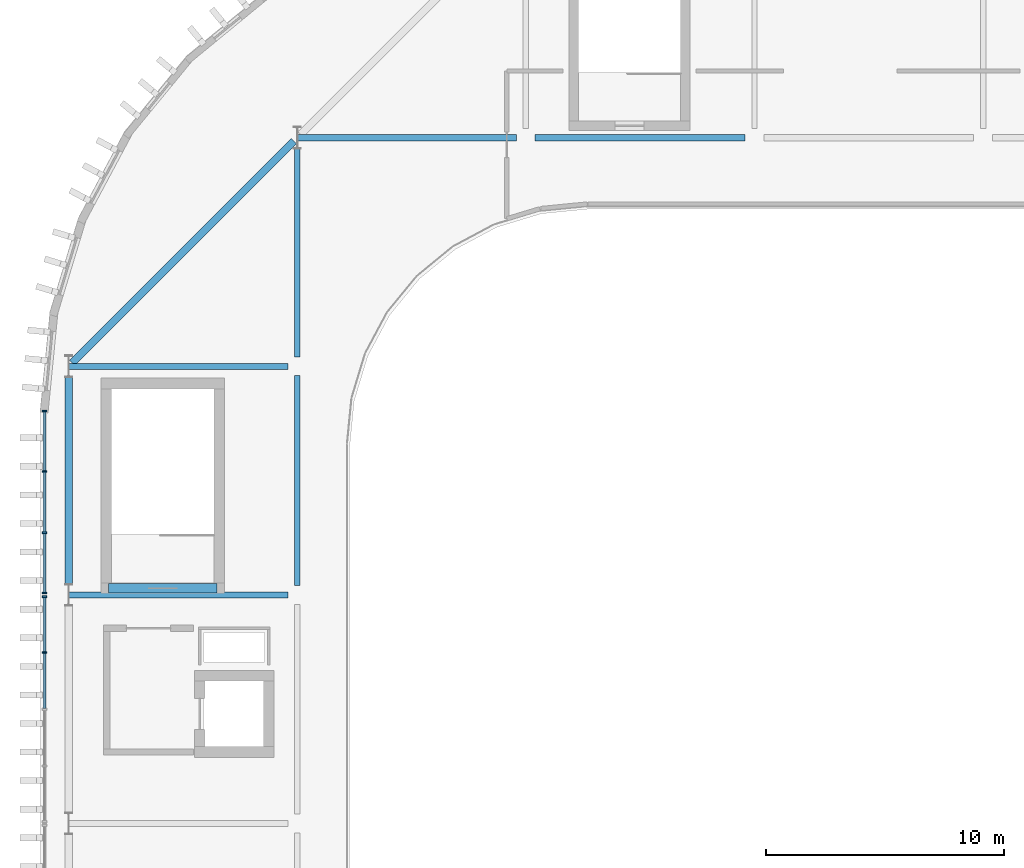
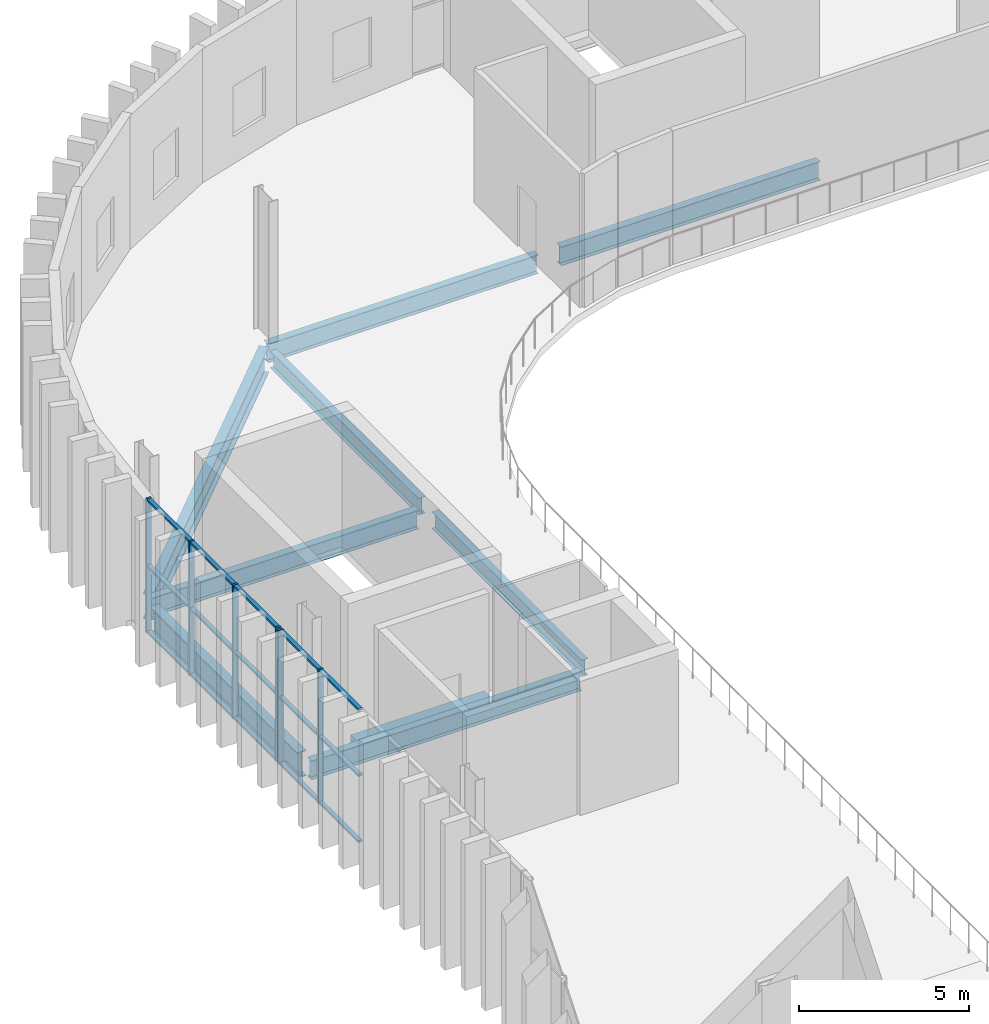
# One storey, part 17 of 45: 21 members, 9 beams, 2 elements without a shape of their own.
"""IFC4 building model written with IfcOpenShell, lengths in metres."""

import ifcopenshell
import ifcopenshell.guid

model = None  # the IFC model being written
_history = None  # IfcOwnerHistory: only IFC2X3 demands one
_inside = {}  # id of a spatial element -> (the spatial element, [elements in it])
_under = {}  # id of a project, library or spatial element -> (it, [spatial elements below it])
_declared = {}  # id of a project -> (the project, [libraries it declares])
_typed = {}  # id of a type object -> (the type object, [elements of that type])
_made_of = {}  # id of a material, layer set ... -> (it, [elements and type objects made of it])


def new_model(schema):
    """Start an empty IFC model of exactly this schema.

    Asked for "IFC4X3", IfcOpenShell would pick the latest addendum, in which some entities
    have other attributes; the version numbers below select the first issue.
    IFC2X3 requires an IfcOwnerHistory on every rooted entity: one is made here for all.
    """
    global model, _history
    if schema == "IFC4X3":
        model = ifcopenshell.file(schema_version=(4, 3, 0, 0))
    else:
        model = ifcopenshell.file(schema=schema)
    _inside.clear()
    _under.clear()
    _declared.clear()
    _typed.clear()
    _made_of.clear()
    _history = None
    if model.schema == "IFC2X3":
        org = make("IfcOrganization", Name="unknown")
        user = make(
            "IfcPersonAndOrganization",
            ThePerson=make("IfcPerson", FamilyName="unknown"),
            TheOrganization=org,
        )
        app = make(
            "IfcApplication",
            ApplicationDeveloper=org,
            Version="unknown",
            ApplicationFullName="unknown",
            ApplicationIdentifier="unknown",
        )
        _history = make(
            "IfcOwnerHistory",
            OwningUser=user,
            OwningApplication=app,
            ChangeAction="ADDED",
            CreationDate=0,
        )
    return model


def make(cls, **values):
    """One entity of the class cls with the attributes given. An attribute that is None is left unset."""
    return model.create_entity(
        cls, **{name: value for name, value in values.items() if value is not None}
    )


def rooted(cls, **values):
    """An entity with a GlobalId (a new one), such as an element, a storey or a relation."""
    return make(cls, GlobalId=ifcopenshell.guid.new(), OwnerHistory=_history, **values)


def si_unit(unit_type, name, prefix=None):
    """IfcSIUnit, for example si_unit("LENGTHUNIT", "METRE", prefix="MILLI")."""
    return make("IfcSIUnit", UnitType=unit_type, Prefix=prefix, Name=name)


def assignment(units):
    """IfcUnitAssignment: the units of a project."""
    return None if units is None else make("IfcUnitAssignment", Units=units)


def point(xyz):
    """IfcCartesianPoint."""
    return None if xyz is None else make("IfcCartesianPoint", Coordinates=xyz)


def direction(xyz):
    """IfcDirection."""
    return None if xyz is None else make("IfcDirection", DirectionRatios=xyz)


def frame(location, z_axis=None, x_axis=None):
    """IfcAxis2Placement3D, a coordinate frame: its origin and axes. An axis left out is left unset."""
    return make(
        "IfcAxis2Placement3D",
        Location=point(location),
        Axis=direction(z_axis),
        RefDirection=direction(x_axis),
    )


def frame_2d(location, x_axis=None):
    """IfcAxis2Placement2D, a coordinate frame in the plane: its origin and x axis."""
    return make(
        "IfcAxis2Placement2D", Location=point(location), RefDirection=direction(x_axis)
    )


def origin():
    """The frame at (0, 0, 0) with its axes left unset."""
    return frame((0.0, 0.0, 0.0))


def origin_2d():
    """The frame at (0, 0) in the plane with its x axis left unset."""
    return frame_2d((0.0, 0.0))


def place(relative_to, where):
    """IfcLocalPlacement: puts the frame where relative to a parent placement (None: the world)."""
    return make(
        "IfcLocalPlacement", PlacementRelTo=relative_to, RelativePlacement=where
    )


def context(
    kind, dimensions, precision=None, world=None, true_north=None, identifier=None
):
    """IfcGeometricRepresentationContext, for example the 3D "Model" context."""
    return make(
        "IfcGeometricRepresentationContext",
        ContextIdentifier=identifier,
        ContextType=kind,
        CoordinateSpaceDimension=dimensions,
        Precision=precision,
        WorldCoordinateSystem=world,
        TrueNorth=true_north,
    )


def subcontext(parent, identifier, kind, view, scale=None):
    """IfcGeometricRepresentationSubContext, for example "Body" below "Model"."""
    return make(
        "IfcGeometricRepresentationSubContext",
        ContextIdentifier=identifier,
        ContextType=kind,
        ParentContext=parent,
        TargetScale=scale,
        TargetView=view,
    )


def project(units=None, contexts=None):
    """IfcProject with its units and contexts."""
    return rooted(
        "IfcProject",
        Name="project",
        RepresentationContexts=contexts,
        UnitsInContext=assignment(units),
    )


def spatial(cls, under=None, at=None, **own):
    """A site, building, storey or space (cls), placed at a placement, below another one or the project."""
    s = rooted(cls, ObjectPlacement=at, **own)
    if under is not None:
        _under.setdefault(under.id(), (under, []))[1].append(s)
    return s


def profile(cls, at=None, kind="AREA", **sizes):
    """A parametric profile (cls). Its sizes go by their IFC names, for example OverallWidth=200.0."""
    return make(cls, ProfileType=kind, Position=at, **sizes)


def rectangle(**sizes):
    """IfcRectangleProfileDef."""
    return profile("IfcRectangleProfileDef", **sizes)


def i_section(**sizes):
    """IfcIShapeProfileDef."""
    return profile("IfcIShapeProfileDef", **sizes)


def extrude(swept, where, along, depth):
    """IfcExtrudedAreaSolid: the profile swept, set in the frame where, extruded along a direction by depth."""
    return make(
        "IfcExtrudedAreaSolid",
        SweptArea=swept,
        Position=where,
        ExtrudedDirection=direction(along),
        Depth=depth,
    )


def shape(context_of_items, identifier, shape_type, items):
    """IfcShapeRepresentation: the items that make up one representation, for example the "Body"."""
    return make(
        "IfcShapeRepresentation",
        ContextOfItems=context_of_items,
        RepresentationIdentifier=identifier,
        RepresentationType=shape_type,
        Items=items,
    )


def material(Name=None, Category=None):
    """IfcMaterial."""
    return make("IfcMaterial", Name=Name, Category=Category)


def layer(
    of_material, thickness, ventilated=None, Name=None, Category=None, Priority=None
):
    """IfcMaterialLayer: one layer of a wall or slab, of a material (None: an air gap)."""
    return make(
        "IfcMaterialLayer",
        Material=of_material,
        LayerThickness=thickness,
        IsVentilated=ventilated,
        Name=Name,
        Category=Category,
        Priority=Priority,
    )


def layer_set(layers, Name=None):
    """IfcMaterialLayerSet."""
    return make("IfcMaterialLayerSet", MaterialLayers=layers, LayerSetName=Name)


def material_profile(
    of_material, cross_section, Name=None, Category=None, Priority=None
):
    """IfcMaterialProfile: a cross section and its material."""
    return make(
        "IfcMaterialProfile",
        Name=Name,
        Material=of_material,
        Profile=cross_section,
        Priority=Priority,
        Category=Category,
    )


def profile_set(profiles, Name=None, composite=None):
    """IfcMaterialProfileSet."""
    return make(
        "IfcMaterialProfileSet",
        Name=Name,
        MaterialProfiles=profiles,
        CompositeProfile=composite,
    )


def made_of(thing, what):
    """Note that an element or type object is made of a material, layer set ...; save() writes the relation."""
    if what is not None:
        _made_of.setdefault(what.id(), (what, []))[1].append(thing)
    return thing


def type_object(cls, material=None, **own):
    """A type object (cls), such as IfcWallType, which elements share."""
    return made_of(rooted(cls, **own), material)


def element(
    cls,
    number,
    at=None,
    inside=None,
    cuts=None,
    type_object=None,
    material=None,
    context=None,
    identifier="Body",
    shape_type=None,
    held_by="IfcProductDefinitionShape",
    body=None,
    shapes=None,
    **own,
):
    """One element of the class cls, such as IfcWall. Its Tag is "e" and its number.

    at: its placement. inside: the storey or other place that contains it. cuts: it is an
    opening in that element (IfcRelVoidsElement). A single representation is given by context,
    identifier, shape_type and body (its items); several are given by shapes. held_by: the class
    of the entity that holds the representations. save() writes the other relations.
    """
    e = rooted(cls, Tag="e%d" % number, ObjectPlacement=at, **own)
    if body is not None:
        shapes = [shape(context, identifier, shape_type, body)]
    if shapes is not None:
        e.Representation = make(held_by, Representations=shapes)
    if inside is not None:
        _inside.setdefault(inside.id(), (inside, []))[1].append(e)
    if cuts is not None:
        rooted(
            "IfcRelVoidsElement", RelatingBuildingElement=cuts, RelatedOpeningElement=e
        )
    if type_object is not None:
        _typed.setdefault(type_object.id(), (type_object, []))[1].append(e)
    return made_of(e, material)


def aggregate(whole, parts):
    """IfcRelAggregates: a whole, such as a stair, and the parts it consists of."""
    return rooted("IfcRelAggregates", RelatingObject=whole, RelatedObjects=parts)


def save(model, path):
    """Write the relations noted so far, then the file.

    IfcRelAggregates (storeys below a building ...), IfcRelContainedInSpatialStructure (elements
    in a storey), IfcRelDefinesByType, IfcRelAssociatesMaterial and IfcRelDeclares: one each for
    every whole, place, type object, material and project.
    """
    for whole, parts in _under.values():
        aggregate(whole, parts)
    for where, things in _inside.values():
        rooted(
            "IfcRelContainedInSpatialStructure",
            RelatedElements=things,
            RelatingStructure=where,
        )
    for kind, things in _typed.values():
        rooted("IfcRelDefinesByType", RelatedObjects=things, RelatingType=kind)
    for what, things in _made_of.values():
        rooted("IfcRelAssociatesMaterial", RelatedObjects=things, RelatingMaterial=what)
    for by, libraries in _declared.values():
        rooted("IfcRelDeclares", RelatingContext=by, RelatedDefinitions=libraries)
    model.write(path)


model = new_model("IFC4")

# Units and contexts
model_context = context("Model", 3, precision=1e-05, world=origin(), true_north=direction((0.0, 1.0)))
body_context = subcontext(model_context, "Body", "Model", "MODEL_VIEW")
ifc_project = project(units=[si_unit("LENGTHUNIT", "METRE"), si_unit("AREAUNIT", "SQUARE_METRE"), si_unit("VOLUMEUNIT", "CUBIC_METRE"), si_unit("PLANEANGLEUNIT", "RADIAN"), si_unit("MASSUNIT", "GRAM", prefix="KILO")], contexts=[model_context])

# Site, building, storey
site_placement = place(None, origin())
site = spatial("IfcSite", under=ifc_project, at=site_placement, CompositionType="ELEMENT")
building_placement = place(site_placement, origin())
building = spatial("IfcBuilding", under=site, at=building_placement, Name="Caelomonte Colonnade Arena", CompositionType="ELEMENT")
storey_placement = place(building_placement, frame((0.0, 0.0, 23.10009765625)))
storey = spatial("IfcBuildingStorey", under=building, at=storey_placement, Name="L05", CompositionType="ELEMENT", Elevation=23.10009765625)

# Curtain wall, members
ifc_material_1 = material(Name="Bronze anodised aluminium and low-E glazing", Category="aluminium")
ifc_layer_1 = layer(ifc_material_1, 0.179931640625)
ifc_layer_set_1 = layer_set([ifc_layer_1], Name="Bronze anodised aluminium and low-E glazing")
curtain_wall_type_1 = type_object("IfcCurtainWallType", Name="ENV-CW-CW-L05-79-48", PredefinedType="USERDEFINED", material=ifc_layer_set_1)
curtain_wall_1_placement = place(storey_placement, origin())
curtain_wall_1 = element("IfcCurtainWall", 1, at=curtain_wall_1_placement, inside=storey, type_object=curtain_wall_type_1, Name="L05 unitized curtain wall CW-L05-0566-0904", ObjectType="UNITIZED CURTAIN WALL", PredefinedType="USERDEFINED")
ifc_material_2 = material(Name="Bronze anodised aluminium AA6063-T6", Category="aluminium")
ifc_material_profile_1 = material_profile(ifc_material_2, rectangle(XDim=0.070068359375, YDim=0.179931640625, at=origin_2d()), Name="CWM-70X180")
ifc_profile_set_1 = profile_set([ifc_material_profile_1], Name="Bronze anodised aluminium AA6063-T6")
member_type_1 = type_object("IfcMemberType", Name="ENV-CW-MULL1", PredefinedType="MULLION", material=ifc_profile_set_1)
member_1_placement = place(storey_placement, frame((56.580078125, 94.125, 0.0), z_axis=(0.0, 0.0, 1.0), x_axis=(0.0, -1.0, 0.0)))
member_1 = element("IfcMember", 2, at=member_1_placement, type_object=member_type_1, Name="CW-L05-79-48 mullion 1", PredefinedType="MULLION", context=body_context, shape_type="SweptSolid", body=[
    extrude(rectangle(XDim=0.070068359375, YDim=0.179931640625, at=origin_2d()), origin(), (0.0, 0.0, 1.0), 4.81982421875),
])
member_2_placement = place(storey_placement, frame((56.580078125, 91.586669921875, 0.0), z_axis=(0.0, 0.0, 1.0), x_axis=(0.0, -1.0, 0.0)))
member_2 = element("IfcMember", 3, at=member_2_placement, type_object=member_type_1, Name="CW-L05-79-48 mullion 2", PredefinedType="MULLION", context=body_context, shape_type="SweptSolid", body=[
    extrude(rectangle(XDim=0.070068359375, YDim=0.179931640625, at=origin_2d()), origin(), (0.0, 0.0, 1.0), 4.81982421875),
])
member_3_placement = place(storey_placement, frame((56.580078125, 89.013427734375, 0.0), z_axis=(0.0, 0.0, 1.0), x_axis=(0.0, -1.0, 0.0)))
member_3 = element("IfcMember", 4, at=member_3_placement, type_object=member_type_1, Name="CW-L05-79-48 mullion 3", PredefinedType="MULLION", context=body_context, shape_type="SweptSolid", body=[
    extrude(rectangle(XDim=0.070068359375, YDim=0.179931640625, at=origin_2d()), origin(), (0.0, 0.0, 1.0), 4.81982421875),
])
member_4_placement = place(storey_placement, frame((56.580078125, 86.47509765625, 0.0), z_axis=(0.0, 0.0, 1.0), x_axis=(0.0, -1.0, 0.0)))
member_4 = element("IfcMember", 5, at=member_4_placement, type_object=member_type_1, Name="CW-L05-79-48 mullion 4", PredefinedType="MULLION", context=body_context, shape_type="SweptSolid", body=[
    extrude(rectangle(XDim=0.070068359375, YDim=0.179931640625, at=origin_2d()), origin(), (0.0, 0.0, 1.0), 4.81982421875),
])

ifc_layer_2 = layer(ifc_material_1, 0.179931640625)
ifc_layer_set_2 = layer_set([ifc_layer_2], Name="Bronze anodised aluminium and low-E glazing")
curtain_wall_type_2 = type_object("IfcCurtainWallType", Name="ENV-CW-CW-L05-96-48", PredefinedType="USERDEFINED", material=ifc_layer_set_2)
curtain_wall_2_placement = place(storey_placement, origin())
curtain_wall_2 = element("IfcCurtainWall", 6, at=curtain_wall_2_placement, inside=storey, type_object=curtain_wall_type_2, Name="L05 unitized curtain wall CW-L05-0566-0816", ObjectType="UNITIZED CURTAIN WALL", PredefinedType="USERDEFINED")
member_5_placement = place(storey_placement, frame((56.580078125, 86.324951171875, 0.0), z_axis=(0.0, 0.0, 1.0), x_axis=(0.0, -1.0, 0.0)))
member_5 = element("IfcMember", 7, at=member_5_placement, type_object=member_type_1, Name="CW-L05-96-48 mullion 1", PredefinedType="MULLION", context=body_context, shape_type="SweptSolid", body=[
    extrude(rectangle(XDim=0.070068359375, YDim=0.179931640625, at=origin_2d()), origin(), (0.0, 0.0, 1.0), 4.81982421875),
])
member_6_placement = place(storey_placement, frame((56.580078125, 83.97998046875, 0.0), z_axis=(0.0, 0.0, 1.0), x_axis=(0.0, -1.0, 0.0)))
member_6 = element("IfcMember", 8, at=member_6_placement, type_object=member_type_1, Name="CW-L05-96-48 mullion 2", PredefinedType="MULLION", context=body_context, shape_type="SweptSolid", body=[
    extrude(rectangle(XDim=0.070068359375, YDim=0.179931640625, at=origin_2d()), origin(), (0.0, 0.0, 1.0), 4.81982421875),
])

# Member
ifc_material_profile_2 = material_profile(ifc_material_2, rectangle(XDim=0.070068359375, YDim=0.139892578125, at=origin_2d()), Name="CWT-70X140")
ifc_profile_set_2 = profile_set([ifc_material_profile_2], Name="Bronze anodised aluminium AA6063-T6")
member_type_2 = type_object("IfcMemberType", Name="ENV-CW-TRAN1", PredefinedType="USERDEFINED", material=ifc_profile_set_2)
member_7_placement = place(storey_placement, frame((56.580078125, 94.090087890625, 0.034912109375), z_axis=(0.0, -1.0, 0.0), x_axis=(0.0, 0.0, 1.0)))
member_7 = element("IfcMember", 9, at=member_7_placement, type_object=member_type_2, Name="CW-L05-79-48 transom 1.1", ObjectType="TRANSOM", PredefinedType="USERDEFINED", context=body_context, shape_type="SweptSolid", body=[
    extrude(rectangle(XDim=0.070068359375, YDim=0.139892578125, at=origin_2d()), origin(), (0.0, 0.0, 1.0), 2.468505859375),
])

member_8_placement = place(storey_placement, frame((56.580078125, 94.090087890625, 2.409912109375), z_axis=(0.0, -1.0, 0.0), x_axis=(0.0, 0.0, 1.0)))
member_8 = element("IfcMember", 10, at=member_8_placement, type_object=member_type_2, Name="CW-L05-79-48 transom 1.2", ObjectType="TRANSOM", PredefinedType="USERDEFINED", context=body_context, shape_type="SweptSolid", body=[
    extrude(rectangle(XDim=0.070068359375, YDim=0.139892578125, at=origin_2d()), origin(), (0.0, 0.0, 1.0), 2.468505859375),
])

member_9_placement = place(storey_placement, frame((56.580078125, 94.090087890625, 4.784912109375), z_axis=(0.0, -1.0, 0.0), x_axis=(0.0, 0.0, 1.0)))
member_9 = element("IfcMember", 11, at=member_9_placement, type_object=member_type_2, Name="CW-L05-79-48 transom 1.3", ObjectType="TRANSOM", PredefinedType="USERDEFINED", context=body_context, shape_type="SweptSolid", body=[
    extrude(rectangle(XDim=0.070068359375, YDim=0.139892578125, at=origin_2d()), origin(), (0.0, 0.0, 1.0), 2.468505859375),
])

member_10_placement = place(storey_placement, frame((56.580078125, 91.5517578125, 0.034912109375), z_axis=(0.0, -1.0, 0.0), x_axis=(0.0, 0.0, 1.0)))
member_10 = element("IfcMember", 12, at=member_10_placement, type_object=member_type_2, Name="CW-L05-79-48 transom 2.1", ObjectType="TRANSOM", PredefinedType="USERDEFINED", context=body_context, shape_type="SweptSolid", body=[
    extrude(rectangle(XDim=0.070068359375, YDim=0.139892578125, at=origin_2d()), origin(), (0.0, 0.0, 1.0), 2.50341796875),
])

member_11_placement = place(storey_placement, frame((56.580078125, 91.5517578125, 2.409912109375), z_axis=(0.0, -1.0, 0.0), x_axis=(0.0, 0.0, 1.0)))
member_11 = element("IfcMember", 13, at=member_11_placement, type_object=member_type_2, Name="CW-L05-79-48 transom 2.2", ObjectType="TRANSOM", PredefinedType="USERDEFINED", context=body_context, shape_type="SweptSolid", body=[
    extrude(rectangle(XDim=0.070068359375, YDim=0.139892578125, at=origin_2d()), origin(), (0.0, 0.0, 1.0), 2.50341796875),
])

member_12_placement = place(storey_placement, frame((56.580078125, 91.5517578125, 4.784912109375), z_axis=(0.0, -1.0, 0.0), x_axis=(0.0, 0.0, 1.0)))
member_12 = element("IfcMember", 14, at=member_12_placement, type_object=member_type_2, Name="CW-L05-79-48 transom 2.3", ObjectType="TRANSOM", PredefinedType="USERDEFINED", context=body_context, shape_type="SweptSolid", body=[
    extrude(rectangle(XDim=0.070068359375, YDim=0.139892578125, at=origin_2d()), origin(), (0.0, 0.0, 1.0), 2.50341796875),
])

member_13_placement = place(storey_placement, frame((56.580078125, 88.978271484375, 0.034912109375), z_axis=(0.0, -1.0, 0.0), x_axis=(0.0, 0.0, 1.0)))
member_13 = element("IfcMember", 15, at=member_13_placement, type_object=member_type_2, Name="CW-L05-79-48 transom 3.1", ObjectType="TRANSOM", PredefinedType="USERDEFINED", context=body_context, shape_type="SweptSolid", body=[
    extrude(rectangle(XDim=0.070068359375, YDim=0.139892578125, at=origin_2d()), origin(), (0.0, 0.0, 1.0), 2.46826171875),
])

member_14_placement = place(storey_placement, frame((56.580078125, 88.978271484375, 2.409912109375), z_axis=(0.0, -1.0, 0.0), x_axis=(0.0, 0.0, 1.0)))
member_14 = element("IfcMember", 16, at=member_14_placement, type_object=member_type_2, Name="CW-L05-79-48 transom 3.2", ObjectType="TRANSOM", PredefinedType="USERDEFINED", context=body_context, shape_type="SweptSolid", body=[
    extrude(rectangle(XDim=0.070068359375, YDim=0.139892578125, at=origin_2d()), origin(), (0.0, 0.0, 1.0), 2.46826171875),
])

member_15_placement = place(storey_placement, frame((56.580078125, 88.978271484375, 4.784912109375), z_axis=(0.0, -1.0, 0.0), x_axis=(0.0, 0.0, 1.0)))
member_15 = element("IfcMember", 17, at=member_15_placement, type_object=member_type_2, Name="CW-L05-79-48 transom 3.3", ObjectType="TRANSOM", PredefinedType="USERDEFINED", context=body_context, shape_type="SweptSolid", body=[
    extrude(rectangle(XDim=0.070068359375, YDim=0.139892578125, at=origin_2d()), origin(), (0.0, 0.0, 1.0), 2.46826171875),
])

aggregate(curtain_wall_1, [member_1, member_2, member_3, member_4, member_7, member_8, member_9, member_10, member_11, member_12, member_13, member_14, member_15])

member_16_placement = place(storey_placement, frame((56.580078125, 86.2900390625, 0.034912109375), z_axis=(0.0, -1.0, 0.0), x_axis=(0.0, 0.0, 1.0)))
member_16 = element("IfcMember", 18, at=member_16_placement, type_object=member_type_2, Name="CW-L05-96-48 transom 1.1", ObjectType="TRANSOM", PredefinedType="USERDEFINED", context=body_context, shape_type="SweptSolid", body=[
    extrude(rectangle(XDim=0.070068359375, YDim=0.139892578125, at=origin_2d()), origin(), (0.0, 0.0, 1.0), 2.275146484375),
])

member_17_placement = place(storey_placement, frame((56.580078125, 86.2900390625, 2.409912109375), z_axis=(0.0, -1.0, 0.0), x_axis=(0.0, 0.0, 1.0)))
member_17 = element("IfcMember", 19, at=member_17_placement, type_object=member_type_2, Name="CW-L05-96-48 transom 1.2", ObjectType="TRANSOM", PredefinedType="USERDEFINED", context=body_context, shape_type="SweptSolid", body=[
    extrude(rectangle(XDim=0.070068359375, YDim=0.139892578125, at=origin_2d()), origin(), (0.0, 0.0, 1.0), 2.275146484375),
])

member_18_placement = place(storey_placement, frame((56.580078125, 86.2900390625, 4.784912109375), z_axis=(0.0, -1.0, 0.0), x_axis=(0.0, 0.0, 1.0)))
member_18 = element("IfcMember", 20, at=member_18_placement, type_object=member_type_2, Name="CW-L05-96-48 transom 1.3", ObjectType="TRANSOM", PredefinedType="USERDEFINED", context=body_context, shape_type="SweptSolid", body=[
    extrude(rectangle(XDim=0.070068359375, YDim=0.139892578125, at=origin_2d()), origin(), (0.0, 0.0, 1.0), 2.275146484375),
])

member_19_placement = place(storey_placement, frame((56.580078125, 83.945068359375, 0.034912109375), z_axis=(0.0, -1.0, 0.0), x_axis=(0.0, 0.0, 1.0)))
member_19 = element("IfcMember", 21, at=member_19_placement, type_object=member_type_2, Name="CW-L05-96-48 transom 2.1", ObjectType="TRANSOM", PredefinedType="USERDEFINED", context=body_context, shape_type="SweptSolid", body=[
    extrude(rectangle(XDim=0.070068359375, YDim=0.139892578125, at=origin_2d()), origin(), (0.0, 0.0, 1.0), 2.31005859375),
])

member_20_placement = place(storey_placement, frame((56.580078125, 83.945068359375, 2.409912109375), z_axis=(0.0, -1.0, 0.0), x_axis=(0.0, 0.0, 1.0)))
member_20 = element("IfcMember", 22, at=member_20_placement, type_object=member_type_2, Name="CW-L05-96-48 transom 2.2", ObjectType="TRANSOM", PredefinedType="USERDEFINED", context=body_context, shape_type="SweptSolid", body=[
    extrude(rectangle(XDim=0.070068359375, YDim=0.139892578125, at=origin_2d()), origin(), (0.0, 0.0, 1.0), 2.31005859375),
])

member_21_placement = place(storey_placement, frame((56.580078125, 83.945068359375, 4.784912109375), z_axis=(0.0, -1.0, 0.0), x_axis=(0.0, 0.0, 1.0)))
member_21 = element("IfcMember", 23, at=member_21_placement, type_object=member_type_2, Name="CW-L05-96-48 transom 2.3", ObjectType="TRANSOM", PredefinedType="USERDEFINED", context=body_context, shape_type="SweptSolid", body=[
    extrude(rectangle(XDim=0.070068359375, YDim=0.139892578125, at=origin_2d()), origin(), (0.0, 0.0, 1.0), 2.31005859375),
])

aggregate(curtain_wall_2, [member_5, member_6, member_16, member_17, member_18, member_19, member_20, member_21])

# Beams
ifc_material_3 = material(Name="Wide-flange steel ASTM A992 Grade 50", Category="steel")
ifc_material_profile_3 = material_profile(ifc_material_3, i_section(OverallWidth=0.307861328125, OverallDepth=0.927001953125, WebThickness=0.019287109375, FlangeThickness=0.031982421875, FilletRadius=0.020263671875, at=origin_2d()), Name="W36X194")
ifc_profile_set_3 = profile_set([ifc_material_profile_3], Name="Wide-flange steel ASTM A992 Grade 50")
beam_type_1 = type_object("IfcBeamType", Name="STR-BM-EAVES2", PredefinedType="SPANDREL", material=ifc_profile_set_3)
beam_1_placement = place(storey_placement, frame((57.60009765625, 86.855712890625, -0.7236328125), z_axis=(0.0, 1.0, 0.0), x_axis=(-1.0, 0.0, 0.0)))
element("IfcBeam", 24, at=beam_1_placement, inside=storey, type_object=beam_type_1, Name="L05 girder BMY-L05-0576-0864", PredefinedType="SPANDREL", context=body_context, shape_type="SweptSolid", body=[
    extrude(i_section(OverallWidth=0.307861328125, OverallDepth=0.927001953125, WebThickness=0.019287109375, FlangeThickness=0.031982421875, FilletRadius=0.020263671875, at=origin_2d()), origin(), (0.0, 0.0, 1.0), 8.688720703125),
])
beam_2_placement = place(storey_placement, frame((67.057861328125, 105.457763671875, -0.7236328125), z_axis=(-0.707106781187, -0.707106781187, 0.0), x_axis=(0.707106781187, -0.707106781187, 0.0)))
element("IfcBeam", 25, at=beam_2_placement, inside=storey, type_object=beam_type_1, Name="L05 drum corner ring girder 8", PredefinedType="SPANDREL", context=body_context, shape_type="SweptSolid", body=[
    extrude(i_section(OverallWidth=0.307861328125, OverallDepth=0.927001953125, WebThickness=0.019287109375, FlangeThickness=0.031982421875, FilletRadius=0.020263671875, at=origin_2d()), origin(), (0.0, 0.0, 1.0), 13.17431640625),
])
ifc_material_profile_4 = material_profile(ifc_material_3, i_section(OverallWidth=0.227783203125, OverallDepth=0.60205078125, WebThickness=0.010498046875, FlangeThickness=0.014892578125, FilletRadius=0.0126953125, at=origin_2d()), Name="W24X68")
ifc_profile_set_4 = profile_set([ifc_material_profile_4], Name="Wide-flange steel ASTM A992 Grade 50")
beam_type_2 = type_object("IfcBeamType", Name="STR-BM-GIRD24B", PredefinedType="SPANDREL", material=ifc_profile_set_4)
beam_3_placement = place(storey_placement, frame((67.199951171875, 86.7919921875, -0.56103515625), z_axis=(0.0, 1.0, 0.0), x_axis=(-1.0, 0.0, 0.0)))
element("IfcBeam", 26, at=beam_3_placement, inside=storey, type_object=beam_type_2, Name="L05 girder BMY-L05-0672-0864", PredefinedType="SPANDREL", context=body_context, shape_type="SweptSolid", body=[
    extrude(i_section(OverallWidth=0.227783203125, OverallDepth=0.60205078125, WebThickness=0.010498046875, FlangeThickness=0.014892578125, FilletRadius=0.0126953125, at=origin_2d()), origin(), (0.0, 0.0, 1.0), 8.81591796875),
])
beam_4_placement = place(storey_placement, frame((67.199951171875, 96.39208984375, -0.56103515625), z_axis=(0.0, 1.0, 0.0), x_axis=(-1.0, 0.0, 0.0)))
element("IfcBeam", 27, at=beam_4_placement, inside=storey, type_object=beam_type_2, Name="L05 girder BMY-L05-0672-0960", PredefinedType="SPANDREL", context=body_context, shape_type="SweptSolid", body=[
    extrude(i_section(OverallWidth=0.227783203125, OverallDepth=0.60205078125, WebThickness=0.010498046875, FlangeThickness=0.014892578125, FilletRadius=0.0126953125, at=origin_2d()), origin(), (0.0, 0.0, 1.0), 8.752197265625),
])
ifc_material_profile_5 = material_profile(ifc_material_3, i_section(OverallWidth=0.2529296875, OverallDepth=0.67822265625, WebThickness=0.01171875, FlangeThickness=0.016357421875, FilletRadius=0.01513671875, at=origin_2d()), Name="W27X84")
ifc_profile_set_5 = profile_set([ifc_material_profile_5], Name="Wide-flange steel ASTM A992 Grade 50")
beam_type_3 = type_object("IfcBeamType", Name="STR-BM-GIRD27B", PredefinedType="BEAM", material=ifc_profile_set_5)
for number, where, z_axis, x_axis, name in (
    (28, (57.609619140625, 86.39990234375, -0.59912109375), (1.0, 0.0, 0.0), (0.0, 1.0, 0.0), "L05 girder BMX-L05-0576-0864"),
    (29, (57.609619140625, 96.0, -0.59912109375), (1.0, 0.0, 0.0), (0.0, 1.0, 0.0), "L05 girder BMX-L05-0576-0960"),
):
    element("IfcBeam", number, at=place(storey_placement, frame(where, z_axis=z_axis, x_axis=x_axis)), inside=storey, type_object=beam_type_3, Name=name, PredefinedType="BEAM", context=body_context, shape_type="SweptSolid", body=[
        extrude(i_section(OverallWidth=0.2529296875, OverallDepth=0.67822265625, WebThickness=0.01171875, FlangeThickness=0.016357421875, FilletRadius=0.01513671875, at=origin_2d()), origin(), (0.0, 0.0, 1.0), 9.198486328125),
    ])
beam_5_placement = place(storey_placement, frame((67.209716796875, 105.60009765625, -0.59912109375), z_axis=(1.0, 0.0, 0.0), x_axis=(0.0, 1.0, 0.0)))
element("IfcBeam", 30, at=beam_5_placement, inside=storey, type_object=beam_type_3, Name="L05 girder BMX-L05-0672-1056", PredefinedType="BEAM", context=body_context, shape_type="SweptSolid", body=[
    extrude(i_section(OverallWidth=0.2529296875, OverallDepth=0.67822265625, WebThickness=0.01171875, FlangeThickness=0.016357421875, FilletRadius=0.01513671875, at=origin_2d()), origin(), (0.0, 0.0, 1.0), 9.1982421875),
])
beam_6_placement = place(storey_placement, frame((77.19189453125, 105.60009765625, -0.59912109375), z_axis=(1.0, 0.0, 0.0), x_axis=(0.0, 1.0, 0.0)))
element("IfcBeam", 31, at=beam_6_placement, inside=storey, type_object=beam_type_3, Name="L05 girder BMX-L05-0768-1056", PredefinedType="BEAM", context=body_context, shape_type="SweptSolid", body=[
    extrude(i_section(OverallWidth=0.2529296875, OverallDepth=0.67822265625, WebThickness=0.01171875, FlangeThickness=0.016357421875, FilletRadius=0.01513671875, at=origin_2d()), origin(), (0.0, 0.0, 1.0), 8.816162109375),
])
ifc_material_4 = material(Name="Concrete C40/50", Category="concrete")
ifc_material_profile_6 = material_profile(ifc_material_4, rectangle(XDim=0.39990234375, YDim=0.64990234375, at=origin_2d()), Name="RC400X650")
ifc_profile_set_6 = profile_set([ifc_material_profile_6], Name="Concrete C40/50")
beam_type_4 = type_object("IfcBeamType", Name="STR-BM-LINT40", PredefinedType="LINTEL", material=ifc_profile_set_6)
beam_7_placement = place(storey_placement, frame((59.27490234375, 86.675048828125, -0.585205078125), z_axis=(1.0, 0.0, 0.0), x_axis=(0.0, 1.0, 0.0)))
element("IfcBeam", 32, at=beam_7_placement, inside=storey, type_object=beam_type_4, Name="Core C4 L05 coupling lintel beam", PredefinedType="LINTEL", context=body_context, shape_type="SweptSolid", body=[
    extrude(rectangle(XDim=0.39990234375, YDim=0.64990234375, at=origin_2d()), origin(), (0.0, 0.0, 1.0), 4.550048828125),
])

save(model, "model.ifc")
